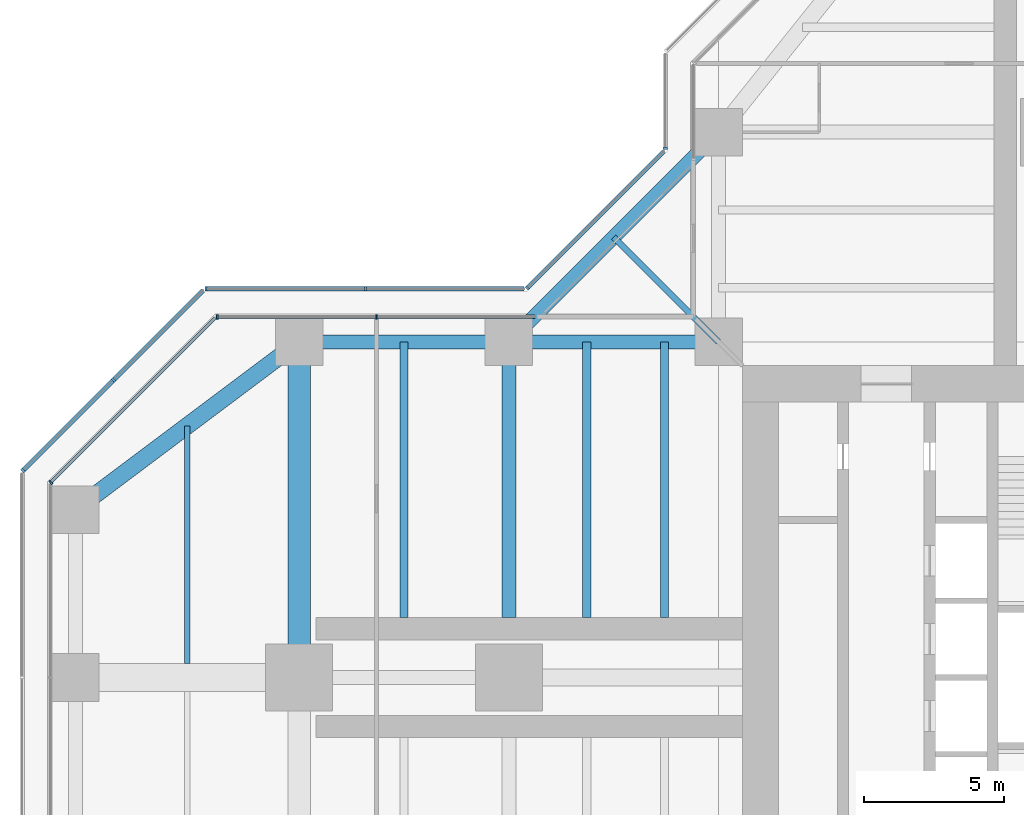
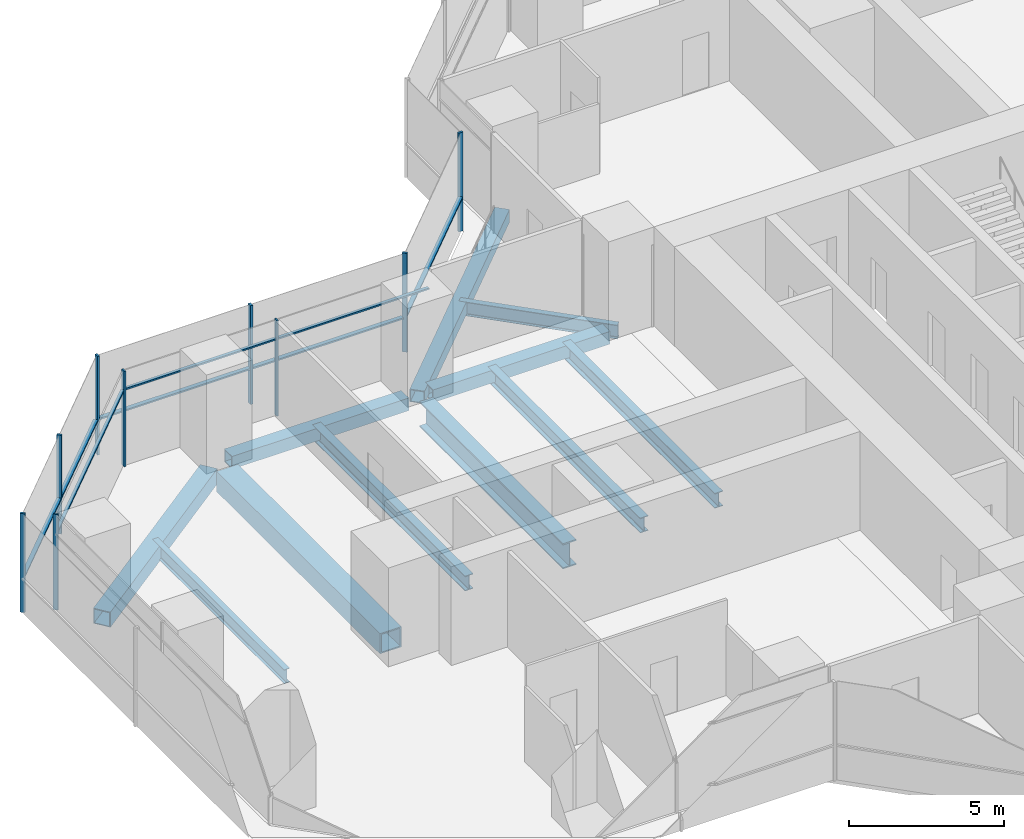
# One storey, part 7 of 19: 17 members, 11 beams, 6 elements without a shape of their own.
"""IFC4 building model written with IfcOpenShell, lengths in metres."""

from ifc_helpers import new_model, si_unit, direction, frame, origin, origin_2d, place, context, subcontext, project, spatial, rectangle, hollow_rectangle, i_section, extrude, material, material_profile, profile_set, type_object, element, aggregate, save


model = new_model("IFC4")

# Units and contexts
model_context = context("Model", 3, precision=1e-05, world=origin(), true_north=direction((0.0, 1.0)))
body_context = subcontext(model_context, "Body", "Model", "MODEL_VIEW")
ifc_project = project(units=[si_unit("LENGTHUNIT", "METRE"), si_unit("AREAUNIT", "SQUARE_METRE"), si_unit("VOLUMEUNIT", "CUBIC_METRE"), si_unit("PLANEANGLEUNIT", "RADIAN"), si_unit("MASSUNIT", "GRAM", prefix="KILO")], contexts=[model_context])

# Site, building, storey
site_placement = place(None, origin())
site = spatial("IfcSite", under=ifc_project, at=site_placement, CompositionType="ELEMENT")
building_placement = place(site_placement, origin())
building = spatial("IfcBuilding", under=site, at=building_placement, Name="Mizan Broadcast Tower", CompositionType="ELEMENT")
storey_placement = place(building_placement, frame((0.0, 0.0, 186.60009765625)))
storey = spatial("IfcBuildingStorey", under=building, at=storey_placement, Name="L43", CompositionType="ELEMENT", Elevation=186.60009765625)

# Beams
ifc_material_1 = material(Name="Steel S355", Category="steel")
ifc_material_profile_1 = material_profile(ifc_material_1, hollow_rectangle(XDim=0.5, YDim=0.5, WallThickness=0.030029296875, at=origin_2d()), Name="BOX 500x500x30")
ifc_profile_set_1 = profile_set([ifc_material_profile_1], Name="Steel S355")
beam_type_1 = type_object("IfcBeamType", Name="EDGE BEAM BOX 500x500x30", PredefinedType="SPANDREL", material=ifc_profile_set_1)
for number, where, z_axis, x_axis, name in (
    (1, (-12.449951171875, 12.0, -0.380126953125), (-1.0, 0.0, 0.0), (0.0, -1.0, 0.0), "Edge beam BOX 500x500x30 L43 west arm"),
    (2, (-19.949951171875, 12.0, -0.380126953125), (-1.0, 0.0, 0.0), (0.0, -1.0, 0.0), "Edge beam BOX 500x500x30 L43 west arm"),
):
    element("IfcBeam", number, at=place(storey_placement, frame(where, z_axis=z_axis, x_axis=x_axis)), inside=storey, type_object=beam_type_1, Name=name, PredefinedType="SPANDREL", context=body_context, shape_type="SweptSolid", body=[
        extrude(hollow_rectangle(XDim=0.5, YDim=0.5, WallThickness=0.030029296875, at=origin_2d()), origin(), (0.0, 0.0, 1.0), 6.60009765625),
    ])
beam_1_placement = place(storey_placement, frame((-12.0, 19.5, -0.380126953125), z_axis=(-0.707106781187, -0.707106781187, 0.0), x_axis=(0.707106781187, -0.707106781187, 0.0)))
element("IfcBeam", 3, at=beam_1_placement, inside=storey, type_object=beam_type_1, Name="Winter garden edge beam L43 N", PredefinedType="SPANDREL", context=body_context, shape_type="SweptSolid", body=[
    extrude(hollow_rectangle(XDim=0.5, YDim=0.5, WallThickness=0.030029296875, at=origin_2d()), origin(), (0.0, 0.0, 1.0), 10.606689453125),
])
ifc_material_2 = material(Name="Steel S355", Category="steel")
ifc_material_profile_2 = material_profile(ifc_material_2, hollow_rectangle(XDim=0.60009765625, YDim=0.60009765625, WallThickness=0.030029296875, at=origin_2d()), Name="BOX 600x600x30")
ifc_profile_set_2 = profile_set([ifc_material_profile_2], Name="Steel S355")
beam_type_2 = type_object("IfcBeamType", Name="EDGE BEAM BOX 600x600x30", PredefinedType="SPANDREL", material=ifc_profile_set_2)
beam_2_placement = place(storey_placement, frame((-27.47998046875, 11.639892578125, -0.43017578125), z_axis=(-0.800013316712, -0.599982243973, 0.0), x_axis=(0.599982243973, -0.800013316712, 0.0)))
element("IfcBeam", 4, at=beam_2_placement, inside=storey, type_object=beam_type_2, Name="Edge beam BOX 600x600x30 L43 west arm", PredefinedType="SPANDREL", context=body_context, shape_type="SweptSolid", body=[
    extrude(hollow_rectangle(XDim=0.60009765625, YDim=0.60009765625, WallThickness=0.030029296875, at=origin_2d()), origin(), (0.0, 0.0, 1.0), 8.7998046875),
])
ifc_material_3 = material(Name="Steel S460", Category="steel")
ifc_material_profile_3 = material_profile(ifc_material_3, hollow_rectangle(XDim=0.800048828125, YDim=0.800048828125, WallThickness=0.050048828125, at=origin_2d()), Name="BOX 800x800x50")
ifc_profile_set_3 = profile_set([ifc_material_profile_3], Name="Steel S460")
beam_type_3 = type_object("IfcBeamType", Name="GIRDER BOX 800x800x50", PredefinedType="BEAM", material=ifc_profile_set_3)
beam_3_placement = place(storey_placement, frame((-27.0, 11.280029296875, -0.530029296875), z_axis=(0.0, -1.0, 0.0), x_axis=(1.0, 0.0, 0.0)))
element("IfcBeam", 5, at=beam_3_placement, inside=storey, type_object=beam_type_3, Name="Girder BOX 800x800x50 L43 west arm", PredefinedType="BEAM", context=body_context, shape_type="SweptSolid", body=[
    extrude(hollow_rectangle(XDim=0.800048828125, YDim=0.800048828125, WallThickness=0.050048828125, at=origin_2d()), origin(), (0.0, 0.0, 1.0), 10.56005859375),
])
ifc_material_4 = material(Name="Steel S460", Category="steel")
ifc_material_profile_4 = material_profile(ifc_material_4, i_section(OverallWidth=0.5, OverallDepth=1.0, WebThickness=0.02490234375, FlangeThickness=0.050048828125, at=origin_2d()), Name="WPG 1000x500")
ifc_profile_set_4 = profile_set([ifc_material_profile_4], Name="Steel S460")
beam_type_4 = type_object("IfcBeamType", Name="GIRDER WPG 1000x500", PredefinedType="BEAM", material=ifc_profile_set_4)
beam_4_placement = place(storey_placement, frame((-19.5, 11.408935546875, -0.630126953125), z_axis=(0.0, -1.0, 0.0), x_axis=(1.0, 0.0, 0.0)))
element("IfcBeam", 6, at=beam_4_placement, inside=storey, type_object=beam_type_4, Name="Girder WPG 1000x500 L43 west arm", PredefinedType="BEAM", context=body_context, shape_type="SweptSolid", body=[
    extrude(i_section(OverallWidth=0.5, OverallDepth=1.0, WebThickness=0.02490234375, FlangeThickness=0.050048828125, at=origin_2d()), origin(), (0.0, 0.0, 1.0), 9.259033203125),
])

# Curtain wall, members
ifc_material_5 = material(Name="Aluminium framed glazing", Category="aluminium")
curtain_wall_type_1 = type_object("IfcCurtainWallType", Name="INNER SKIN MID ZONE", PredefinedType="USERDEFINED", material=ifc_material_5)
curtain_wall_1_placement = place(storey_placement, origin())
curtain_wall_1 = element("IfcCurtainWall", 7, at=curtain_wall_1_placement, inside=storey, type_object=curtain_wall_type_1, Name="Inner skin mid zone L43 W side", ObjectType="INNER SKIN MID ZONE", PredefinedType="USERDEFINED")
ifc_material_6 = material(Name="Aluminium, pale anodised", Category="aluminium")
ifc_material_profile_5 = material_profile(ifc_material_6, rectangle(XDim=0.159912109375, YDim=0.06005859375, at=origin_2d()), Name="MULLION 160x60")
ifc_profile_set_5 = profile_set([ifc_material_profile_5], Name="Aluminium, pale anodised")
member_type_1 = type_object("IfcMemberType", Name="INNER SKIN MULLION 60x160", PredefinedType="MULLION", material=ifc_profile_set_5)
member_1_placement = place(storey_placement, frame((-24.229248046875, 12.89990234375, 0.0), z_axis=(0.0, 0.0, 1.0), x_axis=(0.0, -1.0, 0.0)))
member_1 = element("IfcMember", 8, at=member_1_placement, type_object=member_type_1, Name="Inner skin mid zone L43 W side mullion 2", PredefinedType="MULLION", context=body_context, shape_type="SweptSolid", body=[
    extrude(rectangle(XDim=0.159912109375, YDim=0.06005859375, at=origin_2d()), origin(), (0.0, 0.0, 1.0), 3.77001953125),
])
member_2_placement = place(storey_placement, frame((-29.928466796875, 12.89990234375, 0.0), z_axis=(0.0, 0.0, 1.0), x_axis=(0.0, -1.0, 0.0)))
member_2 = element("IfcMember", 9, at=member_2_placement, type_object=member_type_1, Name="Inner skin mid zone L43 W side mullion 3", PredefinedType="MULLION", context=body_context, shape_type="SweptSolid", body=[
    extrude(rectangle(XDim=0.159912109375, YDim=0.06005859375, at=origin_2d()), origin(), (0.0, 0.0, 1.0), 3.77001953125),
])

# Curtain wall, member
curtain_wall_2_placement = place(storey_placement, origin())
curtain_wall_2 = element("IfcCurtainWall", 10, at=curtain_wall_2_placement, inside=storey, type_object=curtain_wall_type_1, Name="Inner skin mid zone L43 W chamfer", ObjectType="INNER SKIN MID ZONE", PredefinedType="USERDEFINED")
member_3_placement = place(storey_placement, frame((-35.87890625, 6.979736328125, 0.0), z_axis=(0.0, 0.0, 1.0), x_axis=(0.707106781187, -0.707106781187, 0.0)))
member_3 = element("IfcMember", 11, at=member_3_placement, type_object=member_type_1, Name="Inner skin mid zone L43 W chamfer mullion 2", PredefinedType="MULLION", context=body_context, shape_type="SweptSolid", body=[
    extrude(rectangle(XDim=0.159912109375, YDim=0.06005859375, at=origin_2d()), origin(), (0.0, 0.0, 1.0), 3.77001953125),
])

# Member
ifc_material_7 = material(Name="Aluminium, pale anodised", Category="aluminium")
ifc_material_profile_6 = material_profile(ifc_material_7, rectangle(XDim=0.1201171875, YDim=0.06005859375, at=origin_2d()), Name="TRANSOM 120x60")
ifc_profile_set_6 = profile_set([ifc_material_profile_6], Name="Aluminium, pale anodised")
member_type_2 = type_object("IfcMemberType", Name="INNER SKIN TRANSOM 60x120", PredefinedType="USERDEFINED", material=ifc_profile_set_6)
member_4_placement = place(storey_placement, frame((-18.56005859375, 12.89990234375, 3.02978515625), z_axis=(-1.0, 0.0, 0.0), x_axis=(0.0, -1.0, 0.0)))
member_4 = element("IfcMember", 12, at=member_4_placement, type_object=member_type_2, Name="Inner skin mid zone L43 W side transom 1.1", ObjectType="TRANSOM", PredefinedType="USERDEFINED", context=body_context, shape_type="SweptSolid", body=[
    extrude(rectangle(XDim=0.1201171875, YDim=0.06005859375, at=origin_2d()), origin(), (0.0, 0.0, 1.0), 5.63916015625),
])

member_5_placement = place(storey_placement, frame((-24.25927734375, 12.89990234375, 3.02978515625), z_axis=(-1.0, 0.0, 0.0), x_axis=(0.0, -1.0, 0.0)))
member_5 = element("IfcMember", 13, at=member_5_placement, type_object=member_type_2, Name="Inner skin mid zone L43 W side transom 2.1", ObjectType="TRANSOM", PredefinedType="USERDEFINED", context=body_context, shape_type="SweptSolid", body=[
    extrude(rectangle(XDim=0.1201171875, YDim=0.06005859375, at=origin_2d()), origin(), (0.0, 0.0, 1.0), 5.639404296875),
])

aggregate(curtain_wall_1, [member_1, member_2, member_4, member_5])

member_6_placement = place(storey_placement, frame((-30.0009765625, 12.857666015625, 3.02978515625), z_axis=(-0.707106781187, -0.707106781187, 0.0), x_axis=(0.707106781187, -0.707106781187, 0.0)))
member_6 = element("IfcMember", 14, at=member_6_placement, type_object=member_type_2, Name="Inner skin mid zone L43 W chamfer transom 1.1", ObjectType="TRANSOM", PredefinedType="USERDEFINED", context=body_context, shape_type="SweptSolid", body=[
    extrude(rectangle(XDim=0.1201171875, YDim=0.06005859375, at=origin_2d()), origin(), (0.0, 0.0, 1.0), 8.28271484375),
])

aggregate(curtain_wall_2, [member_3, member_6])

# Curtain wall, member
ifc_material_8 = material(Name="Aluminium framed glazing", Category="aluminium")
curtain_wall_type_2 = type_object("IfcCurtainWallType", Name="OUTER SKIN", PredefinedType="USERDEFINED", material=ifc_material_8)
curtain_wall_3_placement = place(storey_placement, origin())
curtain_wall_3 = element("IfcCurtainWall", 15, at=curtain_wall_3_placement, inside=storey, type_object=curtain_wall_type_2, Name="Outer skin L43 N side", ObjectType="OUTER SKIN", PredefinedType="USERDEFINED")
ifc_material_9 = material(Name="Aluminium, pale anodised", Category="aluminium")
ifc_material_profile_7 = material_profile(ifc_material_9, rectangle(XDim=0.159912109375, YDim=0.080078125, at=origin_2d()), Name="MULLION 160x80")
ifc_profile_set_7 = profile_set([ifc_material_profile_7], Name="Aluminium, pale anodised")
member_type_3 = type_object("IfcMemberType", Name="OUTER SKIN MULLION 80x160", PredefinedType="MULLION", material=ifc_profile_set_7)
member_7_placement = place(storey_placement, frame((-13.89990234375, 18.912841796875, 0.0), z_axis=(0.0, 0.0, 1.0), x_axis=(1.0, 0.0, 0.0)))
member_7 = element("IfcMember", 16, at=member_7_placement, type_object=member_type_3, Name="Outer skin L43 N side mullion 2", PredefinedType="MULLION", context=body_context, shape_type="SweptSolid", body=[
    extrude(rectangle(XDim=0.159912109375, YDim=0.080078125, at=origin_2d()), origin(), (0.0, 0.0, 1.0), 3.89990234375),
])
aggregate(curtain_wall_3, [member_7])

curtain_wall_4_placement = place(storey_placement, origin())
curtain_wall_4 = element("IfcCurtainWall", 17, at=curtain_wall_4_placement, inside=storey, type_object=curtain_wall_type_2, Name="Outer skin L43 W chamfer", ObjectType="OUTER SKIN", PredefinedType="USERDEFINED")
member_8_placement = place(storey_placement, frame((-18.844482421875, 13.92822265625, 0.0), z_axis=(0.0, 0.0, 1.0), x_axis=(0.707106781187, -0.707106781187, 0.0)))
member_8 = element("IfcMember", 18, at=member_8_placement, type_object=member_type_3, Name="Outer skin L43 W chamfer mullion 2", PredefinedType="MULLION", context=body_context, shape_type="SweptSolid", body=[
    extrude(rectangle(XDim=0.159912109375, YDim=0.080078125, at=origin_2d()), origin(), (0.0, 0.0, 1.0), 3.89990234375),
])

# Curtain wall, members
curtain_wall_5_placement = place(storey_placement, origin())
curtain_wall_5 = element("IfcCurtainWall", 19, at=curtain_wall_5_placement, inside=storey, type_object=curtain_wall_type_2, Name="Outer skin L43 W side", ObjectType="OUTER SKIN", PredefinedType="USERDEFINED")
member_9_placement = place(storey_placement, frame((-24.622802734375, 13.89990234375, 0.0), z_axis=(0.0, 0.0, 1.0), x_axis=(0.0, -1.0, 0.0)))
member_9 = element("IfcMember", 20, at=member_9_placement, type_object=member_type_3, Name="Outer skin L43 W side mullion 2", PredefinedType="MULLION", context=body_context, shape_type="SweptSolid", body=[
    extrude(rectangle(XDim=0.159912109375, YDim=0.080078125, at=origin_2d()), origin(), (0.0, 0.0, 1.0), 3.89990234375),
])
member_10_placement = place(storey_placement, frame((-30.332763671875, 13.89990234375, 0.0), z_axis=(0.0, 0.0, 1.0), x_axis=(0.0, -1.0, 0.0)))
member_10 = element("IfcMember", 21, at=member_10_placement, type_object=member_type_3, Name="Outer skin L43 W side mullion 3", PredefinedType="MULLION", context=body_context, shape_type="SweptSolid", body=[
    extrude(rectangle(XDim=0.159912109375, YDim=0.080078125, at=origin_2d()), origin(), (0.0, 0.0, 1.0), 3.89990234375),
])

curtain_wall_6_placement = place(storey_placement, origin())
curtain_wall_6 = element("IfcCurtainWall", 22, at=curtain_wall_6_placement, inside=storey, type_object=curtain_wall_type_2, Name="Outer skin L43 W chamfer", ObjectType="OUTER SKIN", PredefinedType="USERDEFINED")
member_11_placement = place(storey_placement, frame((-33.636474609375, 10.636474609375, 0.0), z_axis=(0.0, 0.0, 1.0), x_axis=(0.707106781187, -0.707106781187, 0.0)))
member_11 = element("IfcMember", 23, at=member_11_placement, type_object=member_type_3, Name="Outer skin L43 W chamfer mullion 2", PredefinedType="MULLION", context=body_context, shape_type="SweptSolid", body=[
    extrude(rectangle(XDim=0.159912109375, YDim=0.080078125, at=origin_2d()), origin(), (0.0, 0.0, 1.0), 3.89990234375),
])
member_12_placement = place(storey_placement, frame((-36.871826171875, 7.401123046875, 0.0), z_axis=(0.0, 0.0, 1.0), x_axis=(0.707106781187, -0.707106781187, 0.0)))
member_12 = element("IfcMember", 24, at=member_12_placement, type_object=member_type_3, Name="Outer skin L43 W chamfer mullion 3", PredefinedType="MULLION", context=body_context, shape_type="SweptSolid", body=[
    extrude(rectangle(XDim=0.159912109375, YDim=0.080078125, at=origin_2d()), origin(), (0.0, 0.0, 1.0), 3.89990234375),
])

# Member
ifc_material_10 = material(Name="Aluminium, pale anodised", Category="aluminium")
ifc_material_profile_8 = material_profile(ifc_material_10, rectangle(XDim=0.159912109375, YDim=0.06005859375, at=origin_2d()), Name="TRANSOM 160x60")
ifc_profile_set_8 = profile_set([ifc_material_profile_8], Name="Aluminium, pale anodised")
member_type_4 = type_object("IfcMemberType", Name="OUTER SKIN TRANSOM 60x160", PredefinedType="USERDEFINED", material=ifc_profile_set_8)
member_13_placement = place(storey_placement, frame((-13.95654296875, 18.816162109375, 1.39990234375), z_axis=(-0.707106781187, -0.707106781187, 0.0), x_axis=(0.707106781187, -0.707106781187, 0.0)))
member_13 = element("IfcMember", 25, at=member_13_placement, type_object=member_type_4, Name="Outer skin L43 W chamfer transom 1.1", ObjectType="TRANSOM", PredefinedType="USERDEFINED", context=body_context, shape_type="SweptSolid", body=[
    extrude(rectangle(XDim=0.159912109375, YDim=0.06005859375, at=origin_2d()), origin(), (0.0, 0.0, 1.0), 6.87255859375),
])

aggregate(curtain_wall_4, [member_8, member_13])

member_14_placement = place(storey_placement, frame((-18.952880859375, 13.89990234375, 1.39990234375), z_axis=(-1.0, 0.0, 0.0), x_axis=(0.0, -1.0, 0.0)))
member_14 = element("IfcMember", 26, at=member_14_placement, type_object=member_type_4, Name="Outer skin L43 W side transom 1.1", ObjectType="TRANSOM", PredefinedType="USERDEFINED", context=body_context, shape_type="SweptSolid", body=[
    extrude(rectangle(XDim=0.159912109375, YDim=0.06005859375, at=origin_2d()), origin(), (0.0, 0.0, 1.0), 5.6298828125),
])

member_15_placement = place(storey_placement, frame((-24.662841796875, 13.89990234375, 1.39990234375), z_axis=(-1.0, 0.0, 0.0), x_axis=(0.0, -1.0, 0.0)))
member_15 = element("IfcMember", 27, at=member_15_placement, type_object=member_type_4, Name="Outer skin L43 W side transom 2.1", ObjectType="TRANSOM", PredefinedType="USERDEFINED", context=body_context, shape_type="SweptSolid", body=[
    extrude(rectangle(XDim=0.159912109375, YDim=0.06005859375, at=origin_2d()), origin(), (0.0, 0.0, 1.0), 5.6298828125),
])

aggregate(curtain_wall_5, [member_9, member_10, member_14, member_15])

member_16_placement = place(storey_placement, frame((-30.429443359375, 13.843505859375, 1.39990234375), z_axis=(-0.707106781187, -0.707106781187, 0.0), x_axis=(0.707106781187, -0.707106781187, 0.0)))
member_16 = element("IfcMember", 28, at=member_16_placement, type_object=member_type_4, Name="Outer skin L43 W chamfer transom 1.1", ObjectType="TRANSOM", PredefinedType="USERDEFINED", context=body_context, shape_type="SweptSolid", body=[
    extrude(rectangle(XDim=0.159912109375, YDim=0.06005859375, at=origin_2d()), origin(), (0.0, 0.0, 1.0), 4.495361328125),
])

member_17_placement = place(storey_placement, frame((-33.664794921875, 10.608154296875, 1.39990234375), z_axis=(-0.707106781187, -0.707106781187, 0.0), x_axis=(0.707106781187, -0.707106781187, 0.0)))
member_17 = element("IfcMember", 29, at=member_17_placement, type_object=member_type_4, Name="Outer skin L43 W chamfer transom 2.1", ObjectType="TRANSOM", PredefinedType="USERDEFINED", context=body_context, shape_type="SweptSolid", body=[
    extrude(rectangle(XDim=0.159912109375, YDim=0.06005859375, at=origin_2d()), origin(), (0.0, 0.0, 1.0), 4.495361328125),
])

aggregate(curtain_wall_6, [member_11, member_12, member_16, member_17])

# Beams
ifc_material_11 = material(Name="Steel S355", Category="steel")
ifc_material_profile_9 = material_profile(ifc_material_11, i_section(OverallWidth=0.300048828125, OverallDepth=0.590087890625, WebThickness=0.012939453125, FlangeThickness=0.02490234375, FilletRadius=0.027099609375, at=origin_2d()), Name="HEA 600")
ifc_profile_set_9 = profile_set([ifc_material_profile_9], Name="Steel S355")
beam_type_5 = type_object("IfcBeamType", Name="SECONDARY BEAM HEA 600", PredefinedType="JOIST", material=ifc_profile_set_9)
for number, where, z_axis, x_axis, name in (
    (30, (-13.933349609375, 12.0, -0.425048828125), (0.0, -1.0, 0.0), (1.0, 0.0, 0.0), "Secondary beam HEA 600 L43 west arm"),
    (31, (-16.716552734375, 12.0, -0.425048828125), (0.0, -1.0, 0.0), (1.0, 0.0, 0.0), "Secondary beam HEA 600 L43 west arm"),
    (32, (-23.25, 12.0, -0.425048828125), (0.0, -1.0, 0.0), (1.0, 0.0, 0.0), "Secondary beam HEA 600 L43 west arm"),
):
    element("IfcBeam", number, at=place(storey_placement, frame(where, z_axis=z_axis, x_axis=x_axis)), inside=storey, type_object=beam_type_5, Name=name, PredefinedType="JOIST", context=body_context, shape_type="SweptSolid", body=[
        extrude(i_section(OverallWidth=0.300048828125, OverallDepth=0.590087890625, WebThickness=0.012939453125, FlangeThickness=0.02490234375, FilletRadius=0.027099609375, at=origin_2d()), origin(), (0.0, 0.0, 1.0), 9.85009765625),
    ])
ifc_material_12 = material(Name="Steel S355", Category="steel")
ifc_material_profile_10 = material_profile(ifc_material_12, i_section(OverallWidth=0.2099609375, OverallDepth=0.550048828125, WebThickness=0.010986328125, FlangeThickness=0.01708984375, FilletRadius=0.02392578125, at=origin_2d()), Name="IPE 550")
ifc_profile_set_10 = profile_set([ifc_material_profile_10], Name="Steel S355")
beam_type_6 = type_object("IfcBeamType", Name="SECONDARY BEAM IPE 550", PredefinedType="JOIST", material=ifc_profile_set_10)
beam_5_placement = place(storey_placement, frame((-31.0, 9.0, -0.405029296875), z_axis=(0.0, -1.0, 0.0), x_axis=(1.0, 0.0, 0.0)))
element("IfcBeam", 33, at=beam_5_placement, inside=storey, type_object=beam_type_6, Name="Secondary beam IPE 550 L43 west arm", PredefinedType="JOIST", context=body_context, shape_type="SweptSolid", body=[
    extrude(i_section(OverallWidth=0.2099609375, OverallDepth=0.550048828125, WebThickness=0.010986328125, FlangeThickness=0.01708984375, FilletRadius=0.02392578125, at=origin_2d()), origin(), (0.0, 0.0, 1.0), 8.5),
])
beam_6_placement = place(storey_placement, frame((-12.0, 12.0, -0.405029296875), z_axis=(-0.707106781187, 0.707106781187, 0.0), x_axis=(-0.707106781187, -0.707106781187, 0.0)))
element("IfcBeam", 34, at=beam_6_placement, inside=storey, type_object=beam_type_6, Name="Winter garden beam L43 N", PredefinedType="JOIST", context=body_context, shape_type="SweptSolid", body=[
    extrude(i_section(OverallWidth=0.2099609375, OverallDepth=0.550048828125, WebThickness=0.010986328125, FlangeThickness=0.01708984375, FilletRadius=0.02392578125, at=origin_2d()), origin(), (0.0, 0.0, 1.0), 5.30322265625),
])

save(model, "model.ifc")
